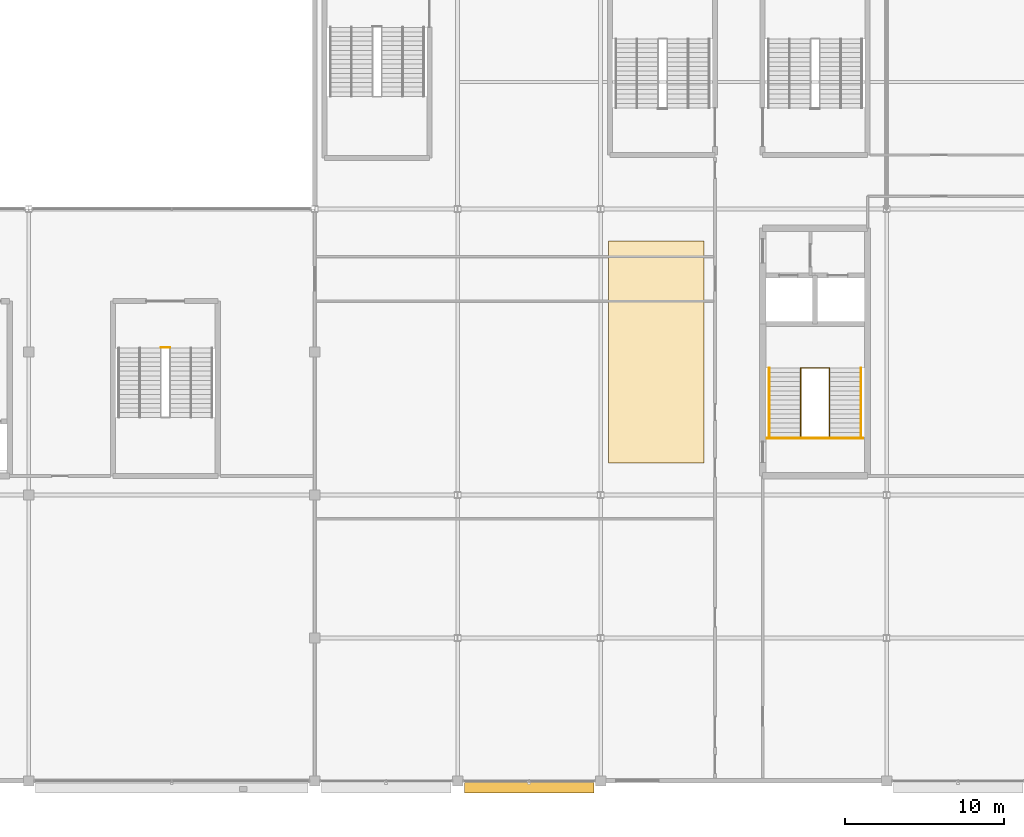
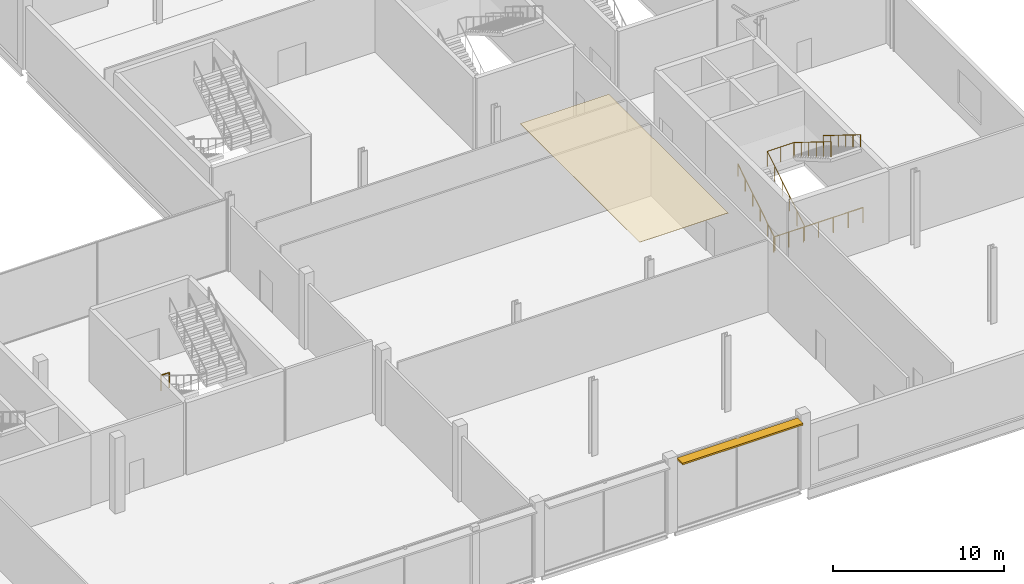
# One storey, part 105 of 111: 5 railings, 1 covering, 1 shading device.
"""IFC4 building model written with IfcOpenShell, lengths in metres."""

from ifc_helpers import new_model, si_unit, direction, frame, origin, origin_2d, place, context, subcontext, project, spatial, polyline, rectangle, circle, outline, extrude, material, layer, layer_set, type_object, element, save


model = new_model("IFC4")

# Units and contexts
model_context = context("Model", 3, precision=1e-05, world=origin(), true_north=direction((0.0, 1.0)))
body_context = subcontext(model_context, "Body", "Model", "MODEL_VIEW")
ifc_project = project(units=[si_unit("LENGTHUNIT", "METRE"), si_unit("AREAUNIT", "SQUARE_METRE"), si_unit("VOLUMEUNIT", "CUBIC_METRE"), si_unit("PLANEANGLEUNIT", "RADIAN"), si_unit("MASSUNIT", "GRAM", prefix="KILO")], contexts=[model_context])

# Site, building, storey
site_placement = place(None, origin())
site = spatial("IfcSite", under=ifc_project, at=site_placement, CompositionType="ELEMENT")
building_placement = place(site_placement, origin())
building = spatial("IfcBuilding", under=site, at=building_placement, Name="Kisiwana Market Hall", CompositionType="ELEMENT")
storey_placement = place(building_placement, frame((0.0, 0.0, 11.39990234375)))
storey = spatial("IfcBuildingStorey", under=building, at=storey_placement, Name="L02", CompositionType="ELEMENT", Elevation=11.39990234375)

# Covering
ifc_material_1 = material(Name="Mineral-fibre acoustic ceiling board")
ifc_layer = layer(ifc_material_1, 0.02490234375)
ifc_layer_set = layer_set([ifc_layer], Name="COV-CEIL-AC")
covering_type = type_object("IfcCoveringType", Name="COV-CEIL-AC", PredefinedType="CEILING", material=ifc_layer_set)
covering_placement = place(storey_placement, frame((0.0, 0.0, 5.125)))
element("IfcCovering", 1, at=covering_placement, inside=storey, type_object=covering_type, Name="Acoustic ceiling grid L02-012", PredefinedType="CEILING", context=body_context, shape_type="SweptSolid", body=[
    extrude(outline(polyline([(171.5, 20.0), (177.5, 20.0), (177.5, 34.0), (171.5, 34.0), (171.5, 20.0)])), origin(), (0.0, 0.0, 1.0), 0.025146484375),
])

# Railings
ifc_material_2 = material(Name="Steel S275", Category="steel")
railing_type_1 = type_object("IfcRailingType", Name="RL-GUARD-1100", PredefinedType="GUARDRAIL", material=ifc_material_2)
railing_1_placement = place(storey_placement, frame((183.60009765625, 21.6494140625, 0.0)))
element("IfcRailing", 2, at=railing_1_placement, inside=storey, type_object=railing_type_1, Name="Stair ST-E2-L02 inner-well guardrail (RL-483)", PredefinedType="GUARDRAIL", context=body_context, shape_type="SweptSolid", body=[
    extrude(circle(Radius=0.02392578125, at=origin_2d()), frame((0.0, 0.0, 1.076171875), z_axis=(0.0, 0.849628378081, 0.527381853271), x_axis=(-1.0, 0.0, 0.0)), (0.0, 0.0, 1.0), 5.1201171875),
    extrude(circle(Radius=0.02392578125, at=origin_2d()), frame((0.0, 4.35009765625, 3.7763671875), z_axis=(1.0, 0.0, 0.0), x_axis=(0.0, 1.0, 0.0)), (0.0, 0.0, 1.0), 1.7998046875),
    extrude(circle(Radius=0.02392578125, at=origin_2d()), frame((1.7998046875, 4.35009765625, 3.7763671875), z_axis=(0.0, -0.849649743971, 0.527347430608), x_axis=(1.0, 0.0, 0.0)), (0.0, 0.0, 1.0), 5.119873046875),
    extrude(circle(Radius=0.02099609375, at=origin_2d()), origin(), (0.0, 0.0, 1.0), 1.052001953125),
    extrude(circle(Radius=0.02099609375, at=origin_2d()), frame((0.0, 0.8701171875, 0.5400390625)), (0.0, 0.0, 1.0), 1.052001953125),
    extrude(circle(Radius=0.02099609375, at=origin_2d()), frame((0.0, 1.739990234375, 1.080078125)), (0.0, 0.0, 1.0), 1.052001953125),
    extrude(circle(Radius=0.02099609375, at=origin_2d()), frame((0.0, 2.610107421875, 1.6201171875)), (0.0, 0.0, 1.0), 1.052001953125),
    extrude(circle(Radius=0.02099609375, at=origin_2d()), frame((0.0, 3.47998046875, 2.16015625)), (0.0, 0.0, 1.0), 1.052001953125),
    extrude(circle(Radius=0.02099609375, at=origin_2d()), frame((0.0, 4.35009765625, 2.7001953125)), (0.0, 0.0, 1.0), 1.052001953125),
    extrude(circle(Radius=0.02099609375, at=origin_2d()), frame((0.89990234375, 4.35009765625, 2.7001953125)), (0.0, 0.0, 1.0), 1.052001953125),
    extrude(circle(Radius=0.02099609375, at=origin_2d()), frame((1.7998046875, 4.35009765625, 2.7001953125)), (0.0, 0.0, 1.0), 1.052001953125),
    extrude(circle(Radius=0.02099609375, at=origin_2d()), frame((1.7998046875, 3.47998046875, 3.240234375)), (0.0, 0.0, 1.0), 1.052001953125),
    extrude(circle(Radius=0.02099609375, at=origin_2d()), frame((1.7998046875, 2.610107421875, 3.7802734375)), (0.0, 0.0, 1.0), 1.052001953125),
    extrude(circle(Radius=0.02099609375, at=origin_2d()), frame((1.7998046875, 1.739990234375, 4.320068359375)), (0.0, 0.0, 1.0), 1.052001953125),
    extrude(circle(Radius=0.02099609375, at=origin_2d()), frame((1.7998046875, 0.8701171875, 4.860107421875)), (0.0, 0.0, 1.0), 1.052001953125),
    extrude(circle(Radius=0.02099609375, at=origin_2d()), frame((1.7998046875, 0.0, 5.400146484375)), (0.0, 0.0, 1.0), 1.052001953125),
])
railing_2_placement = place(storey_placement, frame((181.47998046875, 21.569580078125, 0.0)))
element("IfcRailing", 3, at=railing_2_placement, inside=storey, type_object=railing_type_1, Name="Stair ST-E2-L02 landing edge guardrail (RL-486)", PredefinedType="GUARDRAIL", context=body_context, shape_type="SweptSolid", body=[
    extrude(circle(Radius=0.02392578125, at=origin_2d()), frame((0.0, 0.0, 1.076171875), z_axis=(1.0, 0.0, 0.0), x_axis=(0.0, 1.0, 0.0)), (0.0, 0.0, 1.0), 6.0400390625),
    extrude(circle(Radius=0.02099609375, at=origin_2d()), origin(), (0.0, 0.0, 1.0), 1.052001953125),
    extrude(circle(Radius=0.02099609375, at=origin_2d()), frame((1.006591796875, 0.0, 0.0)), (0.0, 0.0, 1.0), 1.052001953125),
    extrude(circle(Radius=0.02099609375, at=origin_2d()), frame((2.013427734375, 0.0, 0.0)), (0.0, 0.0, 1.0), 1.052001953125),
    extrude(circle(Radius=0.02099609375, at=origin_2d()), frame((3.02001953125, 0.0, 0.0)), (0.0, 0.0, 1.0), 1.052001953125),
    extrude(circle(Radius=0.02099609375, at=origin_2d()), frame((4.026611328125, 0.0, 0.0)), (0.0, 0.0, 1.0), 1.052001953125),
    extrude(circle(Radius=0.02099609375, at=origin_2d()), frame((5.033447265625, 0.0, 0.0)), (0.0, 0.0, 1.0), 1.052001953125),
    extrude(circle(Radius=0.02099609375, at=origin_2d()), frame((6.0400390625, 0.0, 0.0)), (0.0, 0.0, 1.0), 1.052001953125),
])
railing_3_placement = place(storey_placement, frame((143.320068359375, 27.2900390625, 0.0)))
element("IfcRailing", 4, at=railing_3_placement, inside=storey, type_object=railing_type_1, Name="Stair ST-S6-L02 landing edge guardrail (RL-632)", PredefinedType="GUARDRAIL", context=body_context, shape_type="SweptSolid", body=[
    extrude(circle(Radius=0.02392578125, at=origin_2d()), frame((0.0, 0.0, 1.076171875), z_axis=(1.0, 0.0, 0.0), x_axis=(0.0, 1.0, 0.0)), (0.0, 0.0, 1.0), 0.559814453125),
    extrude(circle(Radius=0.02099609375, at=origin_2d()), origin(), (0.0, 0.0, 1.0), 1.052001953125),
    extrude(circle(Radius=0.02099609375, at=origin_2d()), frame((0.559814453125, 0.0, 0.0)), (0.0, 0.0, 1.0), 1.052001953125),
])
ifc_material_3 = material(Name="Steel S275", Category="steel")
railing_type_2 = type_object("IfcRailingType", Name="RL-HAND-900", PredefinedType="HANDRAIL", material=ifc_material_3)
railing_4_placement = place(storey_placement, frame((181.610107421875, 21.6494140625, 0.0)))
element("IfcRailing", 5, at=railing_4_placement, inside=storey, type_object=railing_type_2, Name="Stair ST-E2-L02 flight 1 handrail (RL-484)", PredefinedType="HANDRAIL", context=body_context, shape_type="SweptSolid", body=[
    extrude(circle(Radius=0.02392578125, at=origin_2d()), frame((0.0, 0.0, 0.8759765625), z_axis=(0.0, 0.849628378081, 0.527381853271), x_axis=(-1.0, 0.0, 0.0)), (0.0, 0.0, 1.0), 5.1201171875),
    extrude(circle(Radius=0.02099609375, at=origin_2d()), origin(), (0.0, 0.0, 1.0), 0.851806640625),
    extrude(circle(Radius=0.02099609375, at=origin_2d()), frame((0.0, 0.8701171875, 0.5400390625)), (0.0, 0.0, 1.0), 0.851806640625),
    extrude(circle(Radius=0.02099609375, at=origin_2d()), frame((0.0, 1.739990234375, 1.080078125)), (0.0, 0.0, 1.0), 0.851806640625),
    extrude(circle(Radius=0.02099609375, at=origin_2d()), frame((0.0, 2.610107421875, 1.6201171875)), (0.0, 0.0, 1.0), 0.851806640625),
    extrude(circle(Radius=0.02099609375, at=origin_2d()), frame((0.0, 3.47998046875, 2.16015625)), (0.0, 0.0, 1.0), 0.851806640625),
    extrude(circle(Radius=0.02099609375, at=origin_2d()), frame((0.0, 4.35009765625, 2.7001953125)), (0.0, 0.0, 1.0), 0.851806640625),
])
railing_5_placement = place(storey_placement, frame((187.389892578125, 25.99951171875, 2.7001953125)))
element("IfcRailing", 6, at=railing_5_placement, inside=storey, type_object=railing_type_2, Name="Stair ST-E2-L02 flight 2 handrail (RL-485)", PredefinedType="HANDRAIL", context=body_context, shape_type="SweptSolid", body=[
    extrude(circle(Radius=0.02392578125, at=origin_2d()), frame((0.0, 0.0, 0.8759765625), z_axis=(0.0, -0.849649743971, 0.527347430608), x_axis=(1.0, 0.0, 0.0)), (0.0, 0.0, 1.0), 5.119873046875),
    extrude(circle(Radius=0.02099609375, at=origin_2d()), origin(), (0.0, 0.0, 1.0), 0.851806640625),
    extrude(circle(Radius=0.02099609375, at=origin_2d()), frame((0.0, -0.8701171875, 0.5400390625)), (0.0, 0.0, 1.0), 0.851806640625),
    extrude(circle(Radius=0.02099609375, at=origin_2d()), frame((0.0, -1.739990234375, 1.080078125)), (0.0, 0.0, 1.0), 0.851806640625),
    extrude(circle(Radius=0.02099609375, at=origin_2d()), frame((0.0, -2.610107421875, 1.619873046875)), (0.0, 0.0, 1.0), 0.851806640625),
    extrude(circle(Radius=0.02099609375, at=origin_2d()), frame((0.0, -3.47998046875, 2.159912109375)), (0.0, 0.0, 1.0), 0.851806640625),
    extrude(circle(Radius=0.02099609375, at=origin_2d()), frame((0.0, -4.35009765625, 2.699951171875)), (0.0, 0.0, 1.0), 0.851806640625),
])

# Shading device
ifc_material_4 = material(Name="Aluminium alloy 6063-T6", Category="aluminium")
shading_device_type = type_object("IfcShadingDeviceType", Name="SHD-JALOUSIE-H", PredefinedType="JALOUSIE", material=ifc_material_4)
shading_device_placement = place(storey_placement, frame((166.5, -0.419921875, 4.969970703125), z_axis=(0.0, 0.0, 1.0), x_axis=(1.0, 0.0, 0.0)))
element("IfcShadingDevice", 7, at=shading_device_placement, inside=storey, type_object=shading_device_type, Name="Aluminium brise-soleil louvre SHD-047 SD-047", PredefinedType="JALOUSIE", context=body_context, shape_type="SweptSolid", body=[
    extrude(rectangle(XDim=8.14990234375, YDim=0.64990234375, at=origin_2d()), origin(), (0.0, 0.0, 1.0), 0.1201171875),
])

save(model, "model.ifc")
